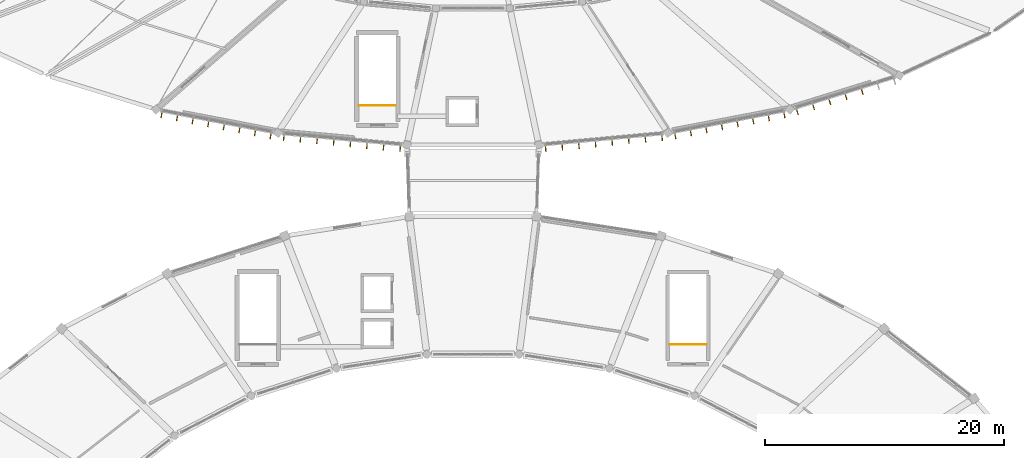
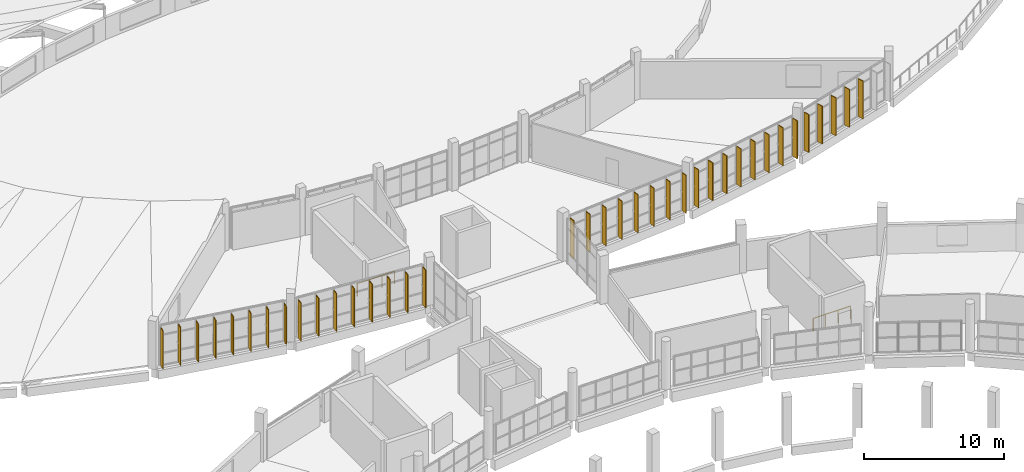
# One storey, part 129 of 142: 37 shading devices, 2 railings.
"""IFC4 building model written with IfcOpenShell, lengths in metres."""

from ifc_helpers import new_model, si_unit, direction, frame, origin, origin_2d, place, context, subcontext, project, spatial, rectangle, circle, extrude, material, layer, layer_set, type_object, element, save


model = new_model("IFC4")

# Units and contexts
model_context = context("Model", 3, precision=1e-05, world=origin(), true_north=direction((0.0, 1.0)))
body_context = subcontext(model_context, "Body", "Model", "MODEL_VIEW")
ifc_project = project(units=[si_unit("LENGTHUNIT", "METRE"), si_unit("AREAUNIT", "SQUARE_METRE"), si_unit("VOLUMEUNIT", "CUBIC_METRE"), si_unit("PLANEANGLEUNIT", "RADIAN"), si_unit("MASSUNIT", "GRAM", prefix="KILO")], contexts=[model_context])

# Site, building, storey
site_placement = place(None, origin())
site = spatial("IfcSite", under=ifc_project, at=site_placement, CompositionType="ELEMENT")
building_placement = place(site_placement, origin())
building = spatial("IfcBuilding", under=site, at=building_placement, Name="Corvandel Quay Wholesale Market", CompositionType="ELEMENT")
storey_placement = place(building_placement, frame((0.0, 0.0, 10.800048828125)))
storey = spatial("IfcBuildingStorey", under=building, at=storey_placement, Name="L02", CompositionType="ELEMENT", Elevation=10.800048828125)

# Railings
ifc_material_1 = material(Name="Painted galvanised tubular steel", Category="steel")
ifc_layer = layer(ifc_material_1, 0.054931640625)
ifc_layer_set = layer_set([ifc_layer], Name="Painted galvanised tubular steel")
railing_type = type_object("IfcRailingType", Name="Stairwell Inner Guard Railing GR02 1100mm", PredefinedType="GUARDRAIL", material=ifc_layer_set)
for number, where, name in (
    (1, (130.469970703125, 73.300048828125, 0.0), "Stair Top Well Guard SH02-L02"),
    (2, (104.469970703125, 93.300048828125, 0.0), "Stair Top Well Guard SH05-L02"),
):
    element("IfcRailing", number, at=place(storey_placement, frame(where)), inside=storey, type_object=railing_type, Name=name, PredefinedType="GUARDRAIL", context=body_context, shape_type="SweptSolid", body=[
        extrude(circle(Radius=0.02392578125, at=origin_2d()), frame((0.0, 0.0, 1.076171875), z_axis=(1.0, 0.0, 0.0), x_axis=(0.0, 1.0, 0.0)), (0.0, 0.0, 1.0), 3.06005859375),
        extrude(circle(Radius=0.02099609375, at=origin_2d()), origin(), (0.0, 0.0, 1.0), 1.052001953125),
        extrude(circle(Radius=0.02099609375, at=origin_2d()), frame((1.02001953125, 0.0, 0.0)), (0.0, 0.0, 1.0), 1.052001953125),
        extrude(circle(Radius=0.02099609375, at=origin_2d()), frame((2.0400390625, 0.0, 0.0)), (0.0, 0.0, 1.0), 1.052001953125),
        extrude(circle(Radius=0.02099609375, at=origin_2d()), frame((3.06005859375, 0.0, 0.0)), (0.0, 0.0, 1.0), 1.052001953125),
    ])

# Shading devices
ifc_material_2 = material(Name="Bronze anodised extruded aluminium 6063-T6", Category="aluminium")
shading_device_type = type_object("IfcShadingDeviceType", Name="Vertical Anodised Bronze Solar Fin FN01 480mm", PredefinedType="JALOUSIE", material=ifc_material_2)
for number, where, z_axis, x_axis, name in (
    (3, (87.9326171875, 92.48388671875, 0.10009765625), (0.0, 0.0, 1.0), (0.188924055984, 0.981991701121, 0.0), "Solar Fin 0322"),
    (4, (89.23681640625, 92.23291015625, 0.10009765625), (0.0, 0.0, 1.0), (0.188924055984, 0.981991701121, 0.0), "Solar Fin 0323"),
    (5, (90.541259765625, 91.982177734375, 0.10009765625), (0.0, 0.0, 1.0), (0.188924055984, 0.981991701121, 0.0), "Solar Fin 0324"),
    (6, (91.845703125, 91.731201171875, 0.10009765625), (0.0, 0.0, 1.0), (0.188924055984, 0.981991701121, 0.0), "Solar Fin 0325"),
    (7, (93.14990234375, 91.48046875, 0.10009765625), (0.0, 0.0, 1.0), (0.188924055984, 0.981991701121, 0.0), "Solar Fin 0326"),
    (8, (94.4541015625, 91.2294921875, 0.10009765625), (0.0, 0.0, 1.0), (0.188924055984, 0.981991701121, 0.0), "Solar Fin 0327"),
    (9, (95.758544921875, 90.978759765625, 0.10009765625), (0.0, 0.0, 1.0), (0.188924055984, 0.981991701121, 0.0), "Solar Fin 0328"),
    (10, (97.06298828125, 90.727783203125, 0.10009765625), (0.0, 0.0, 1.0), (0.188924055984, 0.981991701121, 0.0), "Solar Fin 0329"),
    (11, (98.167724609375, 90.57080078125, 0.10009765625), (0.0, 0.0, 1.0), (0.092023008338, 0.995756880939, 0.0), "Solar Fin 0340"),
    (12, (99.559814453125, 90.4423828125, 0.10009765625), (0.0, 0.0, 1.0), (0.092023008338, 0.995756880939, 0.0), "Solar Fin 0341"),
    (13, (100.95166015625, 90.31396484375, 0.10009765625), (0.0, 0.0, 1.0), (0.092023008338, 0.995756880939, 0.0), "Solar Fin 0342"),
    (14, (102.343505859375, 90.185302734375, 0.10009765625), (0.0, 0.0, 1.0), (0.092023008338, 0.995756880939, 0.0), "Solar Fin 0343"),
    (15, (103.735595703125, 90.056884765625, 0.10009765625), (0.0, 0.0, 1.0), (0.092023008338, 0.995756880939, 0.0), "Solar Fin 0344"),
    (16, (105.12744140625, 89.92822265625, 0.10009765625), (0.0, 0.0, 1.0), (0.092023008338, 0.995756880939, 0.0), "Solar Fin 0345"),
    (17, (106.519287109375, 89.7998046875, 0.10009765625), (0.0, 0.0, 1.0), (0.092023008338, 0.995756880939, 0.0), "Solar Fin 0346"),
    (18, (107.911376953125, 89.67138671875, 0.10009765625), (0.0, 0.0, 1.0), (0.092023008338, 0.995756880939, 0.0), "Solar Fin 0347"),
    (19, (120.088623046875, 89.67138671875, 0.10009765625), (0.0, 0.0, 1.0), (-0.092023008338, 0.995756880939, 0.0), "Solar Fin 0362"),
    (20, (121.480712890625, 89.7998046875, 0.10009765625), (0.0, 0.0, 1.0), (-0.092023008338, 0.995756880939, 0.0), "Solar Fin 0363"),
    (21, (122.87255859375, 89.92822265625, 0.10009765625), (0.0, 0.0, 1.0), (-0.092023008338, 0.995756880939, 0.0), "Solar Fin 0364"),
    (22, (124.264404296875, 90.056884765625, 0.10009765625), (0.0, 0.0, 1.0), (-0.092023008338, 0.995756880939, 0.0), "Solar Fin 0365"),
    (23, (125.656494140625, 90.185302734375, 0.10009765625), (0.0, 0.0, 1.0), (-0.092023008338, 0.995756880939, 0.0), "Solar Fin 0366"),
    (24, (127.04833984375, 90.31396484375, 0.10009765625), (0.0, 0.0, 1.0), (-0.092023008338, 0.995756880939, 0.0), "Solar Fin 0367"),
    (25, (128.440185546875, 90.4423828125, 0.10009765625), (0.0, 0.0, 1.0), (-0.092023008338, 0.995756880939, 0.0), "Solar Fin 0368"),
    (26, (129.832275390625, 90.57080078125, 0.10009765625), (0.0, 0.0, 1.0), (-0.092023008338, 0.995756880939, 0.0), "Solar Fin 0369"),
    (27, (130.93701171875, 90.727783203125, 0.10009765625), (0.0, 0.0, 1.0), (-0.188924055984, 0.981991701121, 0.0), "Solar Fin 0377"),
    (28, (132.241455078125, 90.978759765625, 0.10009765625), (0.0, 0.0, 1.0), (-0.188924055984, 0.981991701121, 0.0), "Solar Fin 0378"),
    (29, (133.5458984375, 91.2294921875, 0.10009765625), (0.0, 0.0, 1.0), (-0.188924055984, 0.981991701121, 0.0), "Solar Fin 0379"),
    (30, (134.85009765625, 91.48046875, 0.10009765625), (0.0, 0.0, 1.0), (-0.188924055984, 0.981991701121, 0.0), "Solar Fin 0380"),
    (31, (136.154296875, 91.731201171875, 0.10009765625), (0.0, 0.0, 1.0), (-0.188924055984, 0.981991701121, 0.0), "Solar Fin 0381"),
    (32, (137.458740234375, 91.982177734375, 0.10009765625), (0.0, 0.0, 1.0), (-0.188924055984, 0.981991701121, 0.0), "Solar Fin 0382"),
    (33, (138.76318359375, 92.23291015625, 0.10009765625), (0.0, 0.0, 1.0), (-0.188924055984, 0.981991701121, 0.0), "Solar Fin 0383"),
    (34, (140.0673828125, 92.48388671875, 0.10009765625), (0.0, 0.0, 1.0), (-0.188924055984, 0.981991701121, 0.0), "Solar Fin 0384"),
    (35, (141.154296875, 92.756103515625, 0.10009765625), (0.0, 0.0, 1.0), (-0.296208192067, 0.955123398809, 0.0), "Solar Fin 0394"),
    (36, (142.510986328125, 93.177001953125, 0.10009765625), (0.0, 0.0, 1.0), (-0.296208192067, 0.955123398809, 0.0), "Solar Fin 0395"),
    (37, (143.867919921875, 93.59765625, 0.10009765625), (0.0, 0.0, 1.0), (-0.296208192067, 0.955123398809, 0.0), "Solar Fin 0396"),
    (38, (145.224609375, 94.0185546875, 0.10009765625), (0.0, 0.0, 1.0), (-0.296208192067, 0.955123398809, 0.0), "Solar Fin 0397"),
    (39, (146.581298828125, 94.439453125, 0.10009765625), (0.0, 0.0, 1.0), (-0.296208192067, 0.955123398809, 0.0), "Solar Fin 0398"),
):
    element("IfcShadingDevice", number, at=place(storey_placement, frame(where, z_axis=z_axis, x_axis=x_axis)), inside=storey, type_object=shading_device_type, Name=name, PredefinedType="JALOUSIE", context=body_context, shape_type="SweptSolid", body=[
        extrude(rectangle(XDim=0.47998046875, YDim=0.06494140625, at=origin_2d()), origin(), (0.0, 0.0, 1.0), 3.300048828125),
    ])

save(model, "model.ifc")
